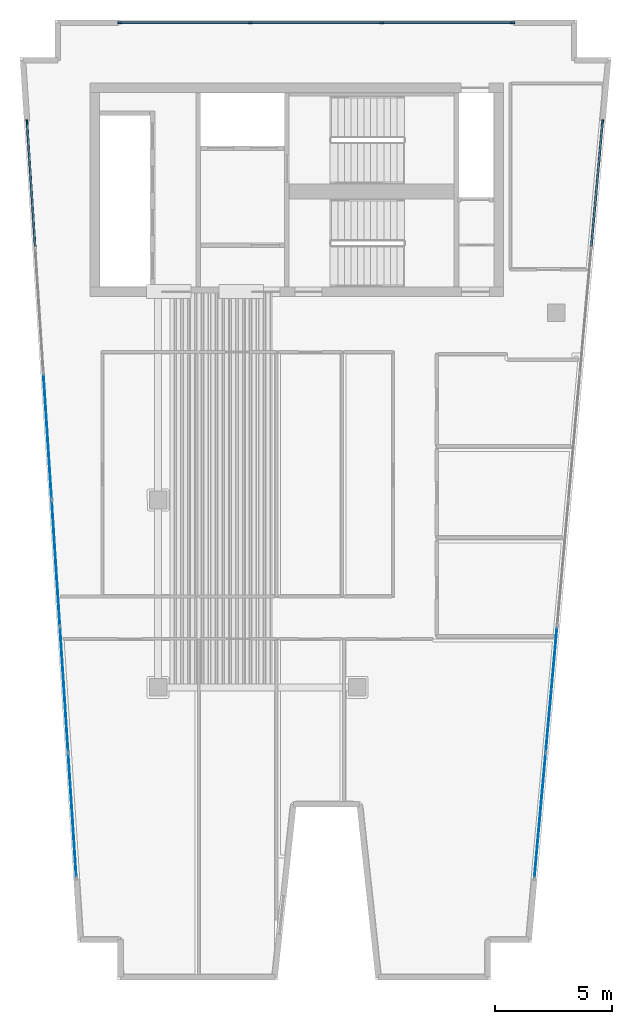
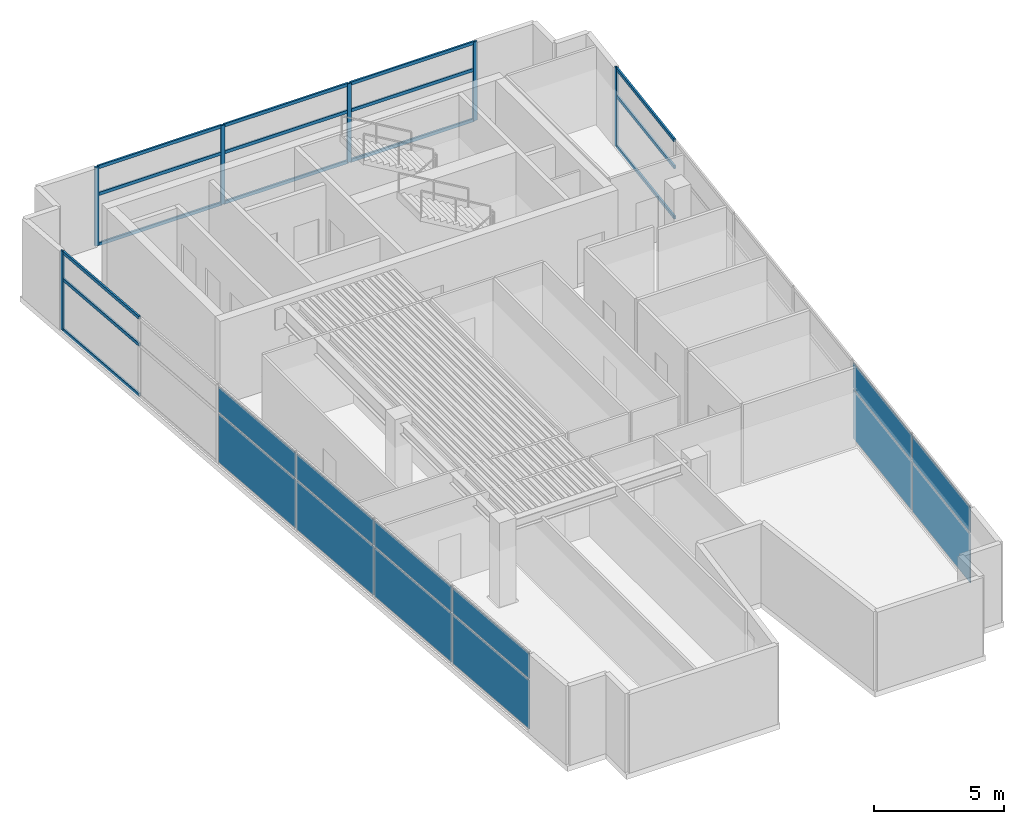
# One storey, part 2 of 7: 21 members, 12 plates, 3 elements without a shape of their own.
"""IFC4 building model written with IfcOpenShell, lengths in metres."""

from ifc_helpers import new_model, si_unit, direction, frame, origin, origin_2d, place, context, subcontext, project, spatial, rectangle, extrude, material, layer, layer_set, material_profile, profile_set, type_object, element, aggregate, save


model = new_model("IFC4")

# Units and contexts
model_context = context("Model", 3, precision=1e-05, world=origin(), true_north=direction((0.0, 1.0)))
body_context = subcontext(model_context, "Body", "Model", "MODEL_VIEW")
ifc_project = project(units=[si_unit("LENGTHUNIT", "METRE"), si_unit("AREAUNIT", "SQUARE_METRE"), si_unit("VOLUMEUNIT", "CUBIC_METRE"), si_unit("PLANEANGLEUNIT", "RADIAN"), si_unit("MASSUNIT", "GRAM", prefix="KILO")], contexts=[model_context])

# Site, building, storey
site_placement = place(None, origin())
site = spatial("IfcSite", under=ifc_project, at=site_placement, CompositionType="ELEMENT")
building_placement = place(site_placement, origin())
building = spatial("IfcBuilding", under=site, at=building_placement, Name="Caeloran Harvest Quay", CompositionType="ELEMENT")
storey_placement = place(building_placement, frame((0.0, 0.0, 308.050048828125)))
storey = spatial("IfcBuildingStorey", under=building, at=storey_placement, Name="L74", CompositionType="ELEMENT", Elevation=308.050048828125)

# Curtain wall, member
ifc_material_1 = material(Name="Aluminium 6063-T6 and Low-E Glazing", Category="aluminium")
ifc_layer_1 = layer(ifc_material_1, 0.239990234375, Name="Aluminium 6063-T6 and Low-E Glazing")
ifc_layer_set_1 = layer_set([ifc_layer_1], Name="Aluminium 6063-T6 and Low-E Glazing")
curtain_wall_type = type_object("IfcCurtainWallType", Name="CW-SYS-CW-7", PredefinedType="USERDEFINED", material=ifc_layer_set_1)
curtain_wall_1_placement = place(storey_placement, origin())
curtain_wall_1 = element("IfcCurtainWall", 1, at=curtain_wall_1_placement, inside=storey, type_object=curtain_wall_type, Name="L74 Unitised Curtain Wall CW-7 Run 3", ObjectType="CURTAIN_WALL", PredefinedType="USERDEFINED")
ifc_material_2 = material(Name="Aluminium 6063-T6", Category="aluminium")
ifc_material_profile_1 = material_profile(ifc_material_2, rectangle(XDim=0.080078125, YDim=0.179931640625, at=origin_2d()), Name="CW-MULLION-180")
ifc_profile_set_1 = profile_set([ifc_material_profile_1], Name="Aluminium 6063-T6")
member_type_1 = type_object("IfcMemberType", Name="CW-MULLION-180", PredefinedType="MULLION", material=ifc_profile_set_1)
member_1_placement = place(storey_placement, frame((2.904541015625, 39.1455078125, 0.0), z_axis=(0.0, 0.0, 1.0), x_axis=(-0.997874401106, -0.065166552901, 0.0)))
member_1 = element("IfcMember", 2, at=member_1_placement, type_object=member_type_1, Name="CW-7 mullion 7", PredefinedType="MULLION", context=body_context, shape_type="SweptSolid", body=[
    extrude(rectangle(XDim=0.080078125, YDim=0.179931640625, at=origin_2d()), origin(), (0.0, 0.0, 1.0), 3.699951171875),
])

# Curtain wall, members
curtain_wall_2_placement = place(storey_placement, origin())
curtain_wall_2 = element("IfcCurtainWall", 3, at=curtain_wall_2_placement, inside=storey, type_object=curtain_wall_type, Name="L74 Unitised Curtain Wall CW-7 Run 6", ObjectType="CURTAIN_WALL", PredefinedType="USERDEFINED")
member_2_placement = place(storey_placement, frame((6.860107421875, 43.3798828125, 0.0), z_axis=(0.0, 0.0, 1.0), x_axis=(0.0, 1.0, 0.0)))
member_2 = element("IfcMember", 4, at=member_2_placement, type_object=member_type_1, Name="CW-7 mullion 1", PredefinedType="MULLION", context=body_context, shape_type="SweptSolid", body=[
    extrude(rectangle(XDim=0.080078125, YDim=0.179931640625, at=origin_2d()), origin(), (0.0, 0.0, 1.0), 3.699951171875),
])
member_3_placement = place(storey_placement, frame((12.43994140625, 43.3798828125, 0.0), z_axis=(0.0, 0.0, 1.0), x_axis=(0.0, 1.0, 0.0)))
member_3 = element("IfcMember", 5, at=member_3_placement, type_object=member_type_1, Name="CW-7 mullion 2", PredefinedType="MULLION", context=body_context, shape_type="SweptSolid", body=[
    extrude(rectangle(XDim=0.080078125, YDim=0.179931640625, at=origin_2d()), origin(), (0.0, 0.0, 1.0), 3.699951171875),
])
member_4_placement = place(storey_placement, frame((18.06005859375, 43.3798828125, 0.0), z_axis=(0.0, 0.0, 1.0), x_axis=(0.0, 1.0, 0.0)))
member_4 = element("IfcMember", 6, at=member_4_placement, type_object=member_type_1, Name="CW-7 mullion 3", PredefinedType="MULLION", context=body_context, shape_type="SweptSolid", body=[
    extrude(rectangle(XDim=0.080078125, YDim=0.179931640625, at=origin_2d()), origin(), (0.0, 0.0, 1.0), 3.699951171875),
])
member_5_placement = place(storey_placement, frame((23.639892578125, 43.3798828125, 0.0), z_axis=(0.0, 0.0, 1.0), x_axis=(0.0, 1.0, 0.0)))
member_5 = element("IfcMember", 7, at=member_5_placement, type_object=member_type_1, Name="CW-7 mullion 4", PredefinedType="MULLION", context=body_context, shape_type="SweptSolid", body=[
    extrude(rectangle(XDim=0.080078125, YDim=0.179931640625, at=origin_2d()), origin(), (0.0, 0.0, 1.0), 3.699951171875),
])

# Curtain wall, member
curtain_wall_3_placement = place(storey_placement, origin())
curtain_wall_3 = element("IfcCurtainWall", 8, at=curtain_wall_3_placement, inside=storey, type_object=curtain_wall_type, Name="L74 Unitised Curtain Wall CW-7 Run 9", ObjectType="CURTAIN_WALL", PredefinedType="USERDEFINED")
member_6_placement = place(storey_placement, frame((27.4873046875, 39.150634765625, 0.0), z_axis=(0.0, 0.0, 1.0), x_axis=(0.995957918918, -0.089821065146, 0.0)))
member_6 = element("IfcMember", 9, at=member_6_placement, type_object=member_type_1, Name="CW-7 mullion 1", PredefinedType="MULLION", context=body_context, shape_type="SweptSolid", body=[
    extrude(rectangle(XDim=0.080078125, YDim=0.179931640625, at=origin_2d()), origin(), (0.0, 0.0, 1.0), 3.699951171875),
])

# Member
ifc_material_profile_2 = material_profile(ifc_material_2, rectangle(XDim=0.080078125, YDim=0.14990234375, at=origin_2d()), Name="CW-TRANSOM-150")
ifc_profile_set_2 = profile_set([ifc_material_profile_2], Name="Aluminium 6063-T6")
member_type_2 = type_object("IfcMemberType", Name="CW-TRANSOM-150", PredefinedType="USERDEFINED", material=ifc_profile_set_2)
member_7_placement = place(storey_placement, frame((3.251708984375, 33.830322265625, 0.0400390625), z_axis=(-0.065161110765, 0.997874756492, 0.0), x_axis=(-0.997874756492, -0.065161110765, 0.0)))
member_7 = element("IfcMember", 10, at=member_7_placement, type_object=member_type_2, Name="CW-7 transom 6.1", ObjectType="TRANSOM", PredefinedType="USERDEFINED", context=body_context, shape_type="SweptSolid", body=[
    extrude(rectangle(XDim=0.080078125, YDim=0.14990234375, at=origin_2d()), origin(), (0.0, 0.0, 1.0), 5.28662109375),
])

member_8_placement = place(storey_placement, frame((3.251708984375, 33.830322265625, 2.39990234375), z_axis=(-0.065161110765, 0.997874756492, 0.0), x_axis=(-0.997874756492, -0.065161110765, 0.0)))
member_8 = element("IfcMember", 11, at=member_8_placement, type_object=member_type_2, Name="CW-7 transom 6.2", ObjectType="TRANSOM", PredefinedType="USERDEFINED", context=body_context, shape_type="SweptSolid", body=[
    extrude(rectangle(XDim=0.080078125, YDim=0.14990234375, at=origin_2d()), origin(), (0.0, 0.0, 1.0), 5.28662109375),
])

member_9_placement = place(storey_placement, frame((3.251708984375, 33.830322265625, 3.659912109375), z_axis=(-0.065161110765, 0.997874756492, 0.0), x_axis=(-0.997874756492, -0.065161110765, 0.0)))
member_9 = element("IfcMember", 12, at=member_9_placement, type_object=member_type_2, Name="CW-7 transom 6.3", ObjectType="TRANSOM", PredefinedType="USERDEFINED", context=body_context, shape_type="SweptSolid", body=[
    extrude(rectangle(XDim=0.080078125, YDim=0.14990234375, at=origin_2d()), origin(), (0.0, 0.0, 1.0), 5.28662109375),
])

member_10_placement = place(storey_placement, frame((6.89990234375, 43.3798828125, 0.0400390625), z_axis=(1.0, 0.0, 0.0), x_axis=(0.0, 1.0, 0.0)))
member_10 = element("IfcMember", 13, at=member_10_placement, type_object=member_type_2, Name="CW-7 transom 1.1", ObjectType="TRANSOM", PredefinedType="USERDEFINED", context=body_context, shape_type="SweptSolid", body=[
    extrude(rectangle(XDim=0.080078125, YDim=0.14990234375, at=origin_2d()), origin(), (0.0, 0.0, 1.0), 5.5),
])

member_11_placement = place(storey_placement, frame((6.89990234375, 43.3798828125, 2.39990234375), z_axis=(1.0, 0.0, 0.0), x_axis=(0.0, 1.0, 0.0)))
member_11 = element("IfcMember", 14, at=member_11_placement, type_object=member_type_2, Name="CW-7 transom 1.2", ObjectType="TRANSOM", PredefinedType="USERDEFINED", context=body_context, shape_type="SweptSolid", body=[
    extrude(rectangle(XDim=0.080078125, YDim=0.14990234375, at=origin_2d()), origin(), (0.0, 0.0, 1.0), 5.5),
])

member_12_placement = place(storey_placement, frame((6.89990234375, 43.3798828125, 3.659912109375), z_axis=(1.0, 0.0, 0.0), x_axis=(0.0, 1.0, 0.0)))
member_12 = element("IfcMember", 15, at=member_12_placement, type_object=member_type_2, Name="CW-7 transom 1.3", ObjectType="TRANSOM", PredefinedType="USERDEFINED", context=body_context, shape_type="SweptSolid", body=[
    extrude(rectangle(XDim=0.080078125, YDim=0.14990234375, at=origin_2d()), origin(), (0.0, 0.0, 1.0), 5.5),
])

member_13_placement = place(storey_placement, frame((12.47998046875, 43.3798828125, 0.0400390625), z_axis=(1.0, 0.0, 0.0), x_axis=(0.0, 1.0, 0.0)))
member_13 = element("IfcMember", 16, at=member_13_placement, type_object=member_type_2, Name="CW-7 transom 2.1", ObjectType="TRANSOM", PredefinedType="USERDEFINED", context=body_context, shape_type="SweptSolid", body=[
    extrude(rectangle(XDim=0.080078125, YDim=0.14990234375, at=origin_2d()), origin(), (0.0, 0.0, 1.0), 5.5400390625),
])

member_14_placement = place(storey_placement, frame((12.47998046875, 43.3798828125, 2.39990234375), z_axis=(1.0, 0.0, 0.0), x_axis=(0.0, 1.0, 0.0)))
member_14 = element("IfcMember", 17, at=member_14_placement, type_object=member_type_2, Name="CW-7 transom 2.2", ObjectType="TRANSOM", PredefinedType="USERDEFINED", context=body_context, shape_type="SweptSolid", body=[
    extrude(rectangle(XDim=0.080078125, YDim=0.14990234375, at=origin_2d()), origin(), (0.0, 0.0, 1.0), 5.5400390625),
])

member_15_placement = place(storey_placement, frame((12.47998046875, 43.3798828125, 3.659912109375), z_axis=(1.0, 0.0, 0.0), x_axis=(0.0, 1.0, 0.0)))
member_15 = element("IfcMember", 18, at=member_15_placement, type_object=member_type_2, Name="CW-7 transom 2.3", ObjectType="TRANSOM", PredefinedType="USERDEFINED", context=body_context, shape_type="SweptSolid", body=[
    extrude(rectangle(XDim=0.080078125, YDim=0.14990234375, at=origin_2d()), origin(), (0.0, 0.0, 1.0), 5.5400390625),
])

member_16_placement = place(storey_placement, frame((18.10009765625, 43.3798828125, 0.0400390625), z_axis=(1.0, 0.0, 0.0), x_axis=(0.0, 1.0, 0.0)))
member_16 = element("IfcMember", 19, at=member_16_placement, type_object=member_type_2, Name="CW-7 transom 3.1", ObjectType="TRANSOM", PredefinedType="USERDEFINED", context=body_context, shape_type="SweptSolid", body=[
    extrude(rectangle(XDim=0.080078125, YDim=0.14990234375, at=origin_2d()), origin(), (0.0, 0.0, 1.0), 5.5),
])

member_17_placement = place(storey_placement, frame((18.10009765625, 43.3798828125, 2.39990234375), z_axis=(1.0, 0.0, 0.0), x_axis=(0.0, 1.0, 0.0)))
member_17 = element("IfcMember", 20, at=member_17_placement, type_object=member_type_2, Name="CW-7 transom 3.2", ObjectType="TRANSOM", PredefinedType="USERDEFINED", context=body_context, shape_type="SweptSolid", body=[
    extrude(rectangle(XDim=0.080078125, YDim=0.14990234375, at=origin_2d()), origin(), (0.0, 0.0, 1.0), 5.5),
])

member_18_placement = place(storey_placement, frame((18.10009765625, 43.3798828125, 3.659912109375), z_axis=(1.0, 0.0, 0.0), x_axis=(0.0, 1.0, 0.0)))
member_18 = element("IfcMember", 21, at=member_18_placement, type_object=member_type_2, Name="CW-7 transom 3.3", ObjectType="TRANSOM", PredefinedType="USERDEFINED", context=body_context, shape_type="SweptSolid", body=[
    extrude(rectangle(XDim=0.080078125, YDim=0.14990234375, at=origin_2d()), origin(), (0.0, 0.0, 1.0), 5.5),
])

aggregate(curtain_wall_2, [member_2, member_3, member_4, member_5, member_10, member_11, member_12, member_13, member_14, member_15, member_16, member_17, member_18])

member_19_placement = place(storey_placement, frame((27.483642578125, 39.11083984375, 0.0400390625), z_axis=(-0.089800407778, -0.995959781699, 0.0), x_axis=(0.995959781699, -0.089800407778, 0.0)))
member_19 = element("IfcMember", 22, at=member_19_placement, type_object=member_type_2, Name="CW-7 transom 1.1", ObjectType="TRANSOM", PredefinedType="USERDEFINED", context=body_context, shape_type="SweptSolid", body=[
    extrude(rectangle(XDim=0.080078125, YDim=0.14990234375, at=origin_2d()), origin(), (0.0, 0.0, 1.0), 5.298828125),
])

member_20_placement = place(storey_placement, frame((27.483642578125, 39.11083984375, 2.39990234375), z_axis=(-0.089800407778, -0.995959781699, 0.0), x_axis=(0.995959781699, -0.089800407778, 0.0)))
member_20 = element("IfcMember", 23, at=member_20_placement, type_object=member_type_2, Name="CW-7 transom 1.2", ObjectType="TRANSOM", PredefinedType="USERDEFINED", context=body_context, shape_type="SweptSolid", body=[
    extrude(rectangle(XDim=0.080078125, YDim=0.14990234375, at=origin_2d()), origin(), (0.0, 0.0, 1.0), 5.298828125),
])

member_21_placement = place(storey_placement, frame((27.483642578125, 39.11083984375, 3.659912109375), z_axis=(-0.089800407778, -0.995959781699, 0.0), x_axis=(0.995959781699, -0.089800407778, 0.0)))
member_21 = element("IfcMember", 24, at=member_21_placement, type_object=member_type_2, Name="CW-7 transom 1.3", ObjectType="TRANSOM", PredefinedType="USERDEFINED", context=body_context, shape_type="SweptSolid", body=[
    extrude(rectangle(XDim=0.080078125, YDim=0.14990234375, at=origin_2d()), origin(), (0.0, 0.0, 1.0), 5.298828125),
])

# Plate
ifc_material_3 = material(Name="Low-E Double Glazed Vision Glass Unit", Category="glass")
ifc_layer_2 = layer(ifc_material_3, 0.035888671875, Name="Low-E Double Glazed Vision Glass Unit")
ifc_layer_set_2 = layer_set([ifc_layer_2], Name="Low-E Double Glazed Vision Glass Unit")
plate_type = type_object("IfcPlateType", Name="CW-VISION-PANEL", PredefinedType="CURTAIN_PANEL", material=ifc_layer_set_2)
plate_1_placement = place(storey_placement, frame((4.838623046875, 9.531982421875, 0.080078125), z_axis=(0.0, 0.0, 1.0), x_axis=(-0.065166552901, 0.997874401106, 0.0)))
plate_1 = element("IfcPlate", 25, at=plate_1_placement, type_object=plate_type, Name="CW-7 panel 1.1", PredefinedType="CURTAIN_PANEL", context=body_context, shape_type="SweptSolid", body=[
    extrude(rectangle(XDim=5.28662109375, YDim=0.035888671875, at=origin_2d()), origin(), (0.0, 0.0, 1.0), 2.280029296875),
])

plate_2_placement = place(storey_placement, frame((4.838623046875, 9.531982421875, 2.43994140625), z_axis=(0.0, 0.0, 1.0), x_axis=(-0.065166552901, 0.997874401106, 0.0)))
plate_2 = element("IfcPlate", 26, at=plate_2_placement, type_object=plate_type, Name="CW-7 panel 1.2", PredefinedType="CURTAIN_PANEL", context=body_context, shape_type="SweptSolid", body=[
    extrude(rectangle(XDim=5.28662109375, YDim=0.035888671875, at=origin_2d()), origin(), (0.0, 0.0, 1.0), 1.179931640625),
])

plate_3_placement = place(storey_placement, frame((4.487548828125, 14.9072265625, 0.080078125), z_axis=(0.0, 0.0, 1.0), x_axis=(-0.065166552901, 0.997874401106, 0.0)))
plate_3 = element("IfcPlate", 27, at=plate_3_placement, type_object=plate_type, Name="CW-7 panel 2.1", PredefinedType="CURTAIN_PANEL", context=body_context, shape_type="SweptSolid", body=[
    extrude(rectangle(XDim=5.32666015625, YDim=0.035888671875, at=origin_2d()), origin(), (0.0, 0.0, 1.0), 2.280029296875),
])

plate_4_placement = place(storey_placement, frame((4.487548828125, 14.9072265625, 2.43994140625), z_axis=(0.0, 0.0, 1.0), x_axis=(-0.065166552901, 0.997874401106, 0.0)))
plate_4 = element("IfcPlate", 28, at=plate_4_placement, type_object=plate_type, Name="CW-7 panel 2.2", PredefinedType="CURTAIN_PANEL", context=body_context, shape_type="SweptSolid", body=[
    extrude(rectangle(XDim=5.32666015625, YDim=0.035888671875, at=origin_2d()), origin(), (0.0, 0.0, 1.0), 1.179931640625),
])

plate_5_placement = place(storey_placement, frame((4.13525390625, 20.302490234375, 0.080078125), z_axis=(0.0, 0.0, 1.0), x_axis=(-0.065166552901, 0.997874401106, 0.0)))
plate_5 = element("IfcPlate", 29, at=plate_5_placement, type_object=plate_type, Name="CW-7 panel 3.1", PredefinedType="CURTAIN_PANEL", context=body_context, shape_type="SweptSolid", body=[
    extrude(rectangle(XDim=5.32666015625, YDim=0.035888671875, at=origin_2d()), origin(), (0.0, 0.0, 1.0), 2.280029296875),
])

plate_6_placement = place(storey_placement, frame((4.13525390625, 20.302490234375, 2.43994140625), z_axis=(0.0, 0.0, 1.0), x_axis=(-0.065166552901, 0.997874401106, 0.0)))
plate_6 = element("IfcPlate", 30, at=plate_6_placement, type_object=plate_type, Name="CW-7 panel 3.2", PredefinedType="CURTAIN_PANEL", context=body_context, shape_type="SweptSolid", body=[
    extrude(rectangle(XDim=5.32666015625, YDim=0.035888671875, at=origin_2d()), origin(), (0.0, 0.0, 1.0), 1.179931640625),
])

plate_7_placement = place(storey_placement, frame((3.78271484375, 25.697509765625, 0.080078125), z_axis=(0.0, 0.0, 1.0), x_axis=(-0.065166552901, 0.997874401106, 0.0)))
plate_7 = element("IfcPlate", 31, at=plate_7_placement, type_object=plate_type, Name="CW-7 panel 4.1", PredefinedType="CURTAIN_PANEL", context=body_context, shape_type="SweptSolid", body=[
    extrude(rectangle(XDim=5.32666015625, YDim=0.035888671875, at=origin_2d()), origin(), (0.0, 0.0, 1.0), 2.280029296875),
])

plate_8_placement = place(storey_placement, frame((3.78271484375, 25.697509765625, 2.43994140625), z_axis=(0.0, 0.0, 1.0), x_axis=(-0.065166552901, 0.997874401106, 0.0)))
plate_8 = element("IfcPlate", 32, at=plate_8_placement, type_object=plate_type, Name="CW-7 panel 4.2", PredefinedType="CURTAIN_PANEL", context=body_context, shape_type="SweptSolid", body=[
    extrude(rectangle(XDim=5.32666015625, YDim=0.035888671875, at=origin_2d()), origin(), (0.0, 0.0, 1.0), 1.179931640625),
])

aggregate(curtain_wall_1, [member_1, plate_1, plate_2, plate_3, plate_4, plate_5, plate_6, plate_7, plate_8, member_7, member_8, member_9])

plate_9_placement = place(storey_placement, frame((25.30078125, 14.90478515625, 0.080078125), z_axis=(0.0, 0.0, 1.0), x_axis=(-0.089821065146, -0.995957918918, 0.0)))
plate_9 = element("IfcPlate", 33, at=plate_9_placement, type_object=plate_type, Name="CW-7 panel 5.1", PredefinedType="CURTAIN_PANEL", context=body_context, shape_type="SweptSolid", body=[
    extrude(rectangle(XDim=5.338623046875, YDim=0.035888671875, at=origin_2d()), origin(), (0.0, 0.0, 1.0), 2.280029296875),
])

plate_10_placement = place(storey_placement, frame((25.30078125, 14.90478515625, 2.43994140625), z_axis=(0.0, 0.0, 1.0), x_axis=(-0.089821065146, -0.995957918918, 0.0)))
plate_10 = element("IfcPlate", 34, at=plate_10_placement, type_object=plate_type, Name="CW-7 panel 5.2", PredefinedType="CURTAIN_PANEL", context=body_context, shape_type="SweptSolid", body=[
    extrude(rectangle(XDim=5.338623046875, YDim=0.035888671875, at=origin_2d()), origin(), (0.0, 0.0, 1.0), 1.179931640625),
])

plate_11_placement = place(storey_placement, frame((24.815673828125, 9.52783203125, 0.080078125), z_axis=(0.0, 0.0, 1.0), x_axis=(-0.089821065146, -0.995957918918, 0.0)))
plate_11 = element("IfcPlate", 35, at=plate_11_placement, type_object=plate_type, Name="CW-7 panel 6.1", PredefinedType="CURTAIN_PANEL", context=body_context, shape_type="SweptSolid", body=[
    extrude(rectangle(XDim=5.298828125, YDim=0.035888671875, at=origin_2d()), origin(), (0.0, 0.0, 1.0), 2.280029296875),
])

plate_12_placement = place(storey_placement, frame((24.815673828125, 9.52783203125, 2.43994140625), z_axis=(0.0, 0.0, 1.0), x_axis=(-0.089821065146, -0.995957918918, 0.0)))
plate_12 = element("IfcPlate", 36, at=plate_12_placement, type_object=plate_type, Name="CW-7 panel 6.2", PredefinedType="CURTAIN_PANEL", context=body_context, shape_type="SweptSolid", body=[
    extrude(rectangle(XDim=5.298828125, YDim=0.035888671875, at=origin_2d()), origin(), (0.0, 0.0, 1.0), 1.179931640625),
])

aggregate(curtain_wall_3, [member_6, member_19, member_20, member_21, plate_9, plate_10, plate_11, plate_12])

save(model, "model.ifc")
